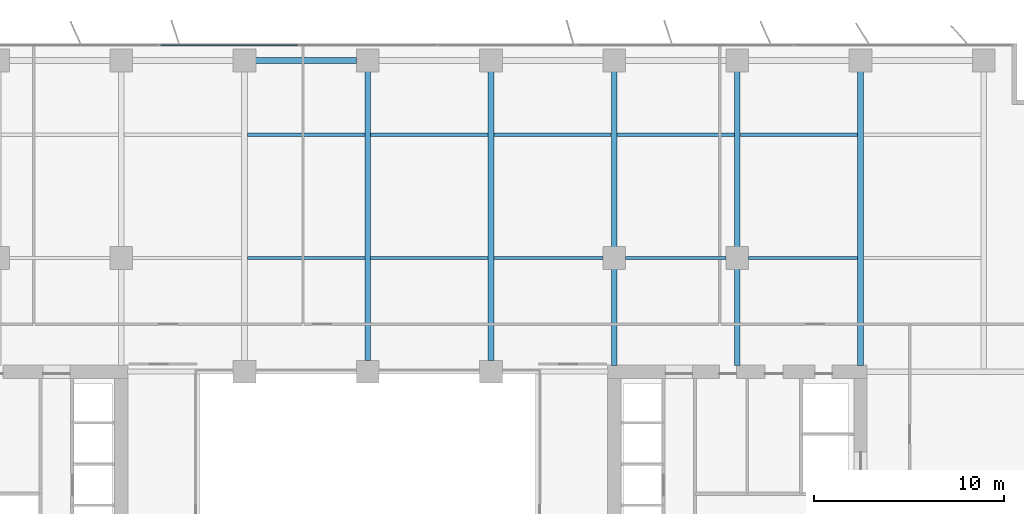
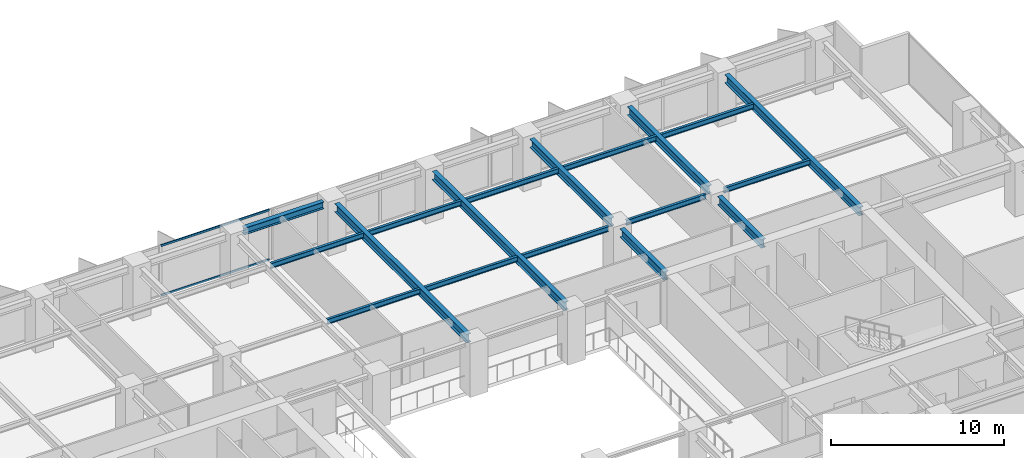
# One storey, part 8 of 20: 18 beams, 2 members, 1 element without a shape of its own.
"""IFC4 building model written with IfcOpenShell, lengths in metres."""

from ifc_helpers import new_model, si_unit, direction, frame, origin, origin_2d, place, context, subcontext, project, spatial, rectangle, i_section, extrude, material, layer, layer_set, material_profile, profile_set, type_object, element, aggregate, save


model = new_model("IFC4")

# Units and contexts
model_context = context("Model", 3, precision=1e-05, world=origin(), true_north=direction((0.0, 1.0)))
body_context = subcontext(model_context, "Body", "Model", "MODEL_VIEW")
ifc_project = project(units=[si_unit("LENGTHUNIT", "METRE"), si_unit("AREAUNIT", "SQUARE_METRE"), si_unit("VOLUMEUNIT", "CUBIC_METRE"), si_unit("PLANEANGLEUNIT", "RADIAN"), si_unit("MASSUNIT", "GRAM", prefix="KILO")], contexts=[model_context])

# Site, building, storey
site_placement = place(None, origin())
site = spatial("IfcSite", under=ifc_project, at=site_placement, CompositionType="ELEMENT")
building_placement = place(site_placement, origin())
building = spatial("IfcBuilding", under=site, at=building_placement, Name="Putna Gate Headquarters", CompositionType="ELEMENT")
storey_placement = place(building_placement, frame((0.0, 0.0, 93.60009765625)))
storey = spatial("IfcBuildingStorey", under=building, at=storey_placement, Name="L22", CompositionType="ELEMENT", Elevation=93.60009765625)

# Beams
ifc_material_1 = material(Name="Steel S355J2", Category="steel")
ifc_material_profile_1 = material_profile(ifc_material_1, i_section(OverallWidth=0.300048828125, OverallDepth=0.60009765625, WebThickness=0.015380859375, FlangeThickness=0.030029296875, at=origin_2d()), Name="Steel S355J2")
ifc_profile_set_1 = profile_set([ifc_material_profile_1], Name="Steel S355J2")
beam_type_1 = type_object("IfcBeamType", Name="BM-GIRD-Z2-HEB600", PredefinedType="USERDEFINED", material=ifc_profile_set_1)
for number, where, z_axis, x_axis, name in (
    (1, (39.0, 33.587890625, 3.264892578125), (0.0, 1.0, 0.0), (-1.0, 0.0, 0.0), "L22 North Primary Girder X39"),
    (2, (45.5, 33.587890625, 3.264892578125), (0.0, 1.0, 0.0), (-1.0, 0.0, 0.0), "L22 North Primary Girder X45"),
):
    element("IfcBeam", number, at=place(storey_placement, frame(where, z_axis=z_axis, x_axis=x_axis)), inside=storey, type_object=beam_type_1, Name=name, ObjectType="GIRDER", PredefinedType="USERDEFINED", context=body_context, shape_type="SweptSolid", body=[
        extrude(i_section(OverallWidth=0.300048828125, OverallDepth=0.60009765625, WebThickness=0.015380859375, FlangeThickness=0.030029296875, at=origin_2d()), origin(), (0.0, 0.0, 1.0), 15.244140625),
    ])
beam_1_placement = place(storey_placement, frame((52.0, 33.3349609375, 3.264892578125), z_axis=(0.0, 1.0, 0.0), x_axis=(-1.0, 0.0, 0.0)))
element("IfcBeam", 3, at=beam_1_placement, inside=storey, type_object=beam_type_1, Name="L22 North Primary Girder X52-1", ObjectType="GIRDER", PredefinedType="USERDEFINED", context=body_context, shape_type="SweptSolid", body=[
    extrude(i_section(OverallWidth=0.300048828125, OverallDepth=0.60009765625, WebThickness=0.015380859375, FlangeThickness=0.030029296875, at=origin_2d()), origin(), (0.0, 0.0, 1.0), 5.0771484375),
])
beam_2_placement = place(storey_placement, frame((52.0, 39.587890625, 3.264892578125), z_axis=(0.0, 1.0, 0.0), x_axis=(-1.0, 0.0, 0.0)))
element("IfcBeam", 4, at=beam_2_placement, inside=storey, type_object=beam_type_1, Name="L22 North Primary Girder X52-2", ObjectType="GIRDER", PredefinedType="USERDEFINED", context=body_context, shape_type="SweptSolid", body=[
    extrude(i_section(OverallWidth=0.300048828125, OverallDepth=0.60009765625, WebThickness=0.015380859375, FlangeThickness=0.030029296875, at=origin_2d()), origin(), (0.0, 0.0, 1.0), 9.244140625),
])
beam_3_placement = place(storey_placement, frame((58.5, 33.3349609375, 3.264892578125), z_axis=(0.0, 1.0, 0.0), x_axis=(-1.0, 0.0, 0.0)))
element("IfcBeam", 5, at=beam_3_placement, inside=storey, type_object=beam_type_1, Name="L22 North Primary Girder X58-1", ObjectType="GIRDER", PredefinedType="USERDEFINED", context=body_context, shape_type="SweptSolid", body=[
    extrude(i_section(OverallWidth=0.300048828125, OverallDepth=0.60009765625, WebThickness=0.015380859375, FlangeThickness=0.030029296875, at=origin_2d()), origin(), (0.0, 0.0, 1.0), 5.0771484375),
])
beam_4_placement = place(storey_placement, frame((58.5, 39.587890625, 3.264892578125), z_axis=(0.0, 1.0, 0.0), x_axis=(-1.0, 0.0, 0.0)))
element("IfcBeam", 6, at=beam_4_placement, inside=storey, type_object=beam_type_1, Name="L22 North Primary Girder X58-2", ObjectType="GIRDER", PredefinedType="USERDEFINED", context=body_context, shape_type="SweptSolid", body=[
    extrude(i_section(OverallWidth=0.300048828125, OverallDepth=0.60009765625, WebThickness=0.015380859375, FlangeThickness=0.030029296875, at=origin_2d()), origin(), (0.0, 0.0, 1.0), 9.244140625),
])
beam_5_placement = place(storey_placement, frame((65.0, 33.3349609375, 3.264892578125), z_axis=(0.0, 1.0, 0.0), x_axis=(-1.0, 0.0, 0.0)))
element("IfcBeam", 7, at=beam_5_placement, inside=storey, type_object=beam_type_1, Name="L22 North Primary Girder X65", ObjectType="GIRDER", PredefinedType="USERDEFINED", context=body_context, shape_type="SweptSolid", body=[
    extrude(i_section(OverallWidth=0.300048828125, OverallDepth=0.60009765625, WebThickness=0.015380859375, FlangeThickness=0.030029296875, at=origin_2d()), origin(), (0.0, 0.0, 1.0), 15.4970703125),
])
ifc_material_profile_2 = material_profile(ifc_material_1, i_section(OverallWidth=0.169921875, OverallDepth=0.360107421875, WebThickness=0.008056640625, FlangeThickness=0.0126953125, at=origin_2d()), Name="Steel S355J2")
ifc_profile_set_2 = profile_set([ifc_material_profile_2], Name="Steel S355J2")
beam_type_2 = type_object("IfcBeamType", Name="BM-SEC-Z2-IPE360", PredefinedType="BEAM", material=ifc_profile_set_2)
for number, where, z_axis, x_axis, name in (
    (8, (32.654052734375, 39.0, 3.385009765625), (1.0, 0.0, 0.0), (0.0, 1.0, 0.0), "L22 North Secondary Beam 5"),
    (9, (32.654052734375, 45.5, 3.385009765625), (1.0, 0.0, 0.0), (0.0, 1.0, 0.0), "L22 North Secondary Beam 5"),
    (10, (39.154052734375, 39.0, 3.385009765625), (1.0, 0.0, 0.0), (0.0, 1.0, 0.0), "L22 North Secondary Beam 6"),
    (11, (39.154052734375, 45.5, 3.385009765625), (1.0, 0.0, 0.0), (0.0, 1.0, 0.0), "L22 North Secondary Beam 6"),
):
    element("IfcBeam", number, at=place(storey_placement, frame(where, z_axis=z_axis, x_axis=x_axis)), inside=storey, type_object=beam_type_2, Name=name, PredefinedType="BEAM", context=body_context, shape_type="SweptSolid", body=[
        extrude(i_section(OverallWidth=0.169921875, OverallDepth=0.360107421875, WebThickness=0.008056640625, FlangeThickness=0.0126953125, at=origin_2d()), origin(), (0.0, 0.0, 1.0), 6.19189453125),
    ])
beam_6_placement = place(storey_placement, frame((45.654052734375, 39.0, 3.385009765625), z_axis=(1.0, 0.0, 0.0), x_axis=(0.0, 1.0, 0.0)))
element("IfcBeam", 12, at=beam_6_placement, inside=storey, type_object=beam_type_2, Name="L22 North Secondary Beam 7", PredefinedType="BEAM", context=body_context, shape_type="SweptSolid", body=[
    extrude(i_section(OverallWidth=0.169921875, OverallDepth=0.360107421875, WebThickness=0.008056640625, FlangeThickness=0.0126953125, at=origin_2d()), origin(), (0.0, 0.0, 1.0), 5.758056640625),
])
beam_7_placement = place(storey_placement, frame((45.654052734375, 45.5, 3.385009765625), z_axis=(1.0, 0.0, 0.0), x_axis=(0.0, 1.0, 0.0)))
element("IfcBeam", 13, at=beam_7_placement, inside=storey, type_object=beam_type_2, Name="L22 North Secondary Beam 7", PredefinedType="BEAM", context=body_context, shape_type="SweptSolid", body=[
    extrude(i_section(OverallWidth=0.169921875, OverallDepth=0.360107421875, WebThickness=0.008056640625, FlangeThickness=0.0126953125, at=origin_2d()), origin(), (0.0, 0.0, 1.0), 6.19189453125),
])
beam_8_placement = place(storey_placement, frame((52.587890625, 39.0, 3.385009765625), z_axis=(1.0, 0.0, 0.0), x_axis=(0.0, 1.0, 0.0)))
element("IfcBeam", 14, at=beam_8_placement, inside=storey, type_object=beam_type_2, Name="L22 North Secondary Beam 8", PredefinedType="BEAM", context=body_context, shape_type="SweptSolid", body=[
    extrude(i_section(OverallWidth=0.169921875, OverallDepth=0.360107421875, WebThickness=0.008056640625, FlangeThickness=0.0126953125, at=origin_2d()), origin(), (0.0, 0.0, 1.0), 5.32421875),
])
beam_9_placement = place(storey_placement, frame((52.154052734375, 45.5, 3.385009765625), z_axis=(1.0, 0.0, 0.0), x_axis=(0.0, 1.0, 0.0)))
element("IfcBeam", 15, at=beam_9_placement, inside=storey, type_object=beam_type_2, Name="L22 North Secondary Beam 8", PredefinedType="BEAM", context=body_context, shape_type="SweptSolid", body=[
    extrude(i_section(OverallWidth=0.169921875, OverallDepth=0.360107421875, WebThickness=0.008056640625, FlangeThickness=0.0126953125, at=origin_2d()), origin(), (0.0, 0.0, 1.0), 6.19189453125),
])
beam_10_placement = place(storey_placement, frame((59.087890625, 39.0, 3.385009765625), z_axis=(1.0, 0.0, 0.0), x_axis=(0.0, 1.0, 0.0)))
element("IfcBeam", 16, at=beam_10_placement, inside=storey, type_object=beam_type_2, Name="L22 North Secondary Beam 9", PredefinedType="BEAM", context=body_context, shape_type="SweptSolid", body=[
    extrude(i_section(OverallWidth=0.169921875, OverallDepth=0.360107421875, WebThickness=0.008056640625, FlangeThickness=0.0126953125, at=origin_2d()), origin(), (0.0, 0.0, 1.0), 5.758056640625),
])
beam_11_placement = place(storey_placement, frame((58.654052734375, 45.5, 3.385009765625), z_axis=(1.0, 0.0, 0.0), x_axis=(0.0, 1.0, 0.0)))
element("IfcBeam", 17, at=beam_11_placement, inside=storey, type_object=beam_type_2, Name="L22 North Secondary Beam 9", PredefinedType="BEAM", context=body_context, shape_type="SweptSolid", body=[
    extrude(i_section(OverallWidth=0.169921875, OverallDepth=0.360107421875, WebThickness=0.008056640625, FlangeThickness=0.0126953125, at=origin_2d()), origin(), (0.0, 0.0, 1.0), 6.19189453125),
])
ifc_material_profile_3 = material_profile(ifc_material_1, i_section(OverallWidth=0.300048828125, OverallDepth=0.489990234375, WebThickness=0.011962890625, FlangeThickness=0.02294921875, at=origin_2d()), Name="Steel S355J2")
ifc_profile_set_3 = profile_set([ifc_material_profile_3], Name="Steel S355J2")
beam_type_3 = type_object("IfcBeamType", Name="BM-SPAN-Z2-HEA500", PredefinedType="SPANDREL", material=ifc_profile_set_3)
beam_12_placement = place(storey_placement, frame((33.087890625, 49.419921875, 3.31982421875), z_axis=(1.0, 0.0, 0.0), x_axis=(0.0, 1.0, 0.0)))
element("IfcBeam", 18, at=beam_12_placement, inside=storey, type_object=beam_type_3, Name="L22 N Perimeter Spandrel 5", PredefinedType="SPANDREL", context=body_context, shape_type="SweptSolid", body=[
    extrude(i_section(OverallWidth=0.300048828125, OverallDepth=0.489990234375, WebThickness=0.011962890625, FlangeThickness=0.02294921875, at=origin_2d()), origin(), (0.0, 0.0, 1.0), 5.32421875),
])

# Curtain wall, members
ifc_material_2 = material(Name="Anodised bronze aluminium curtain wall", Category="aluminium")
ifc_layer = layer(ifc_material_2, 0.179931640625)
ifc_layer_set = layer_set([ifc_layer], Name="Anodised bronze aluminium curtain wall")
curtain_wall_type = type_object("IfcCurtainWallType", Name="CW-SYS-ATR", PredefinedType="USERDEFINED", material=ifc_layer_set)
curtain_wall_placement = place(storey_placement, origin())
curtain_wall = element("IfcCurtainWall", 19, at=curtain_wall_placement, inside=storey, type_object=curtain_wall_type, Name="L22 North Atrium Clear Glazing", ObjectType="ATRIUM GLAZING", PredefinedType="USERDEFINED")
ifc_material_3 = material(Name="Anodised bronze aluminium EN AW-6060", Category="aluminium")
ifc_material_profile_4 = material_profile(ifc_material_3, rectangle(XDim=0.070068359375, YDim=0.139892578125, at=origin_2d()), Name="Anodised bronze aluminium EN AW-6060")
ifc_profile_set_4 = profile_set([ifc_material_profile_4], Name="Anodised bronze aluminium EN AW-6060")
member_type = type_object("IfcMemberType", Name="TRAN-CWT-AT", PredefinedType="USERDEFINED", material=ifc_profile_set_4)
member_1_placement = place(storey_placement, frame((28.070068359375, 50.219970703125, 0.034912109375), z_axis=(1.0, 0.0, 0.0), x_axis=(0.0, 1.0, 0.0)))
member_1 = element("IfcMember", 20, at=member_1_placement, type_object=member_type, Name="CWS-AT transom 1.1", ObjectType="TRANSOM", PredefinedType="USERDEFINED", context=body_context, shape_type="SweptSolid", body=[
    extrude(rectangle(XDim=0.070068359375, YDim=0.139892578125, at=origin_2d()), origin(), (0.0, 0.0, 1.0), 7.228271484375),
])
member_2_placement = place(storey_placement, frame((28.070068359375, 50.219970703125, 3.52978515625), z_axis=(1.0, 0.0, 0.0), x_axis=(0.0, 1.0, 0.0)))
member_2 = element("IfcMember", 21, at=member_2_placement, type_object=member_type, Name="CWS-AT transom 1.2", ObjectType="TRANSOM", PredefinedType="USERDEFINED", context=body_context, shape_type="SweptSolid", body=[
    extrude(rectangle(XDim=0.070068359375, YDim=0.139892578125, at=origin_2d()), origin(), (0.0, 0.0, 1.0), 7.228271484375),
])
aggregate(curtain_wall, [member_1, member_2])

save(model, "model.ifc")
